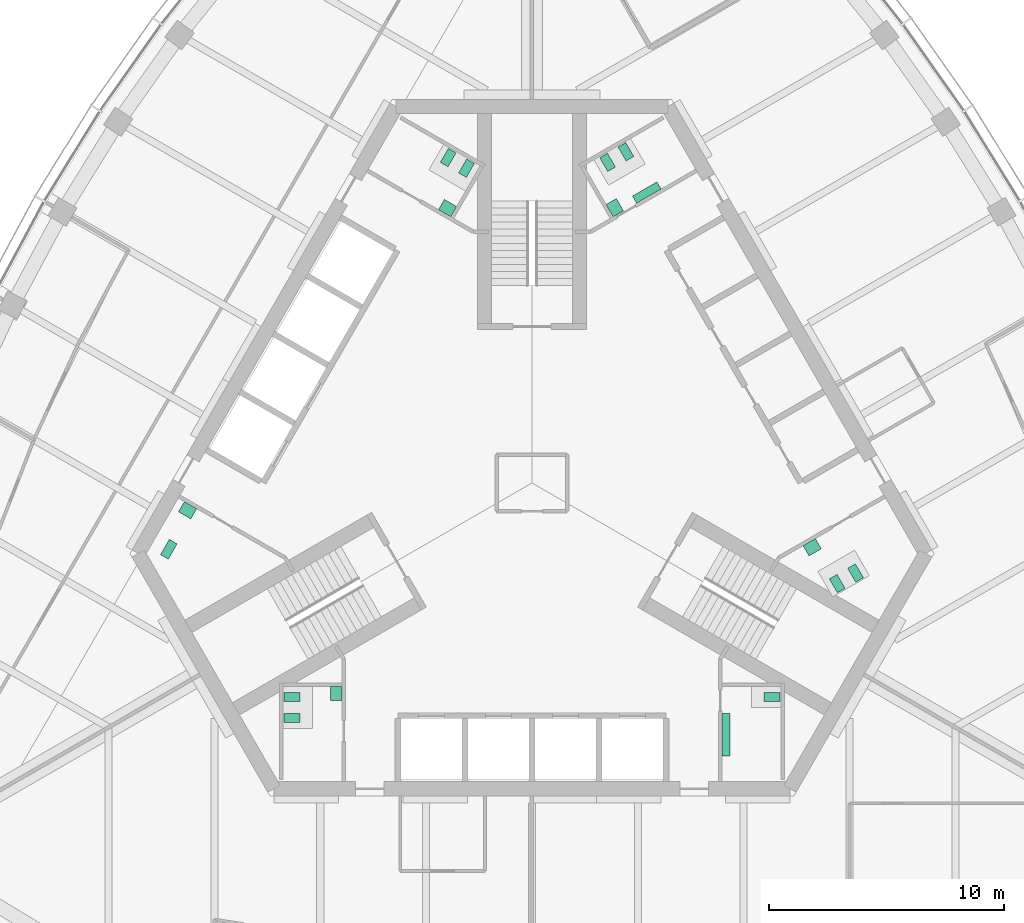
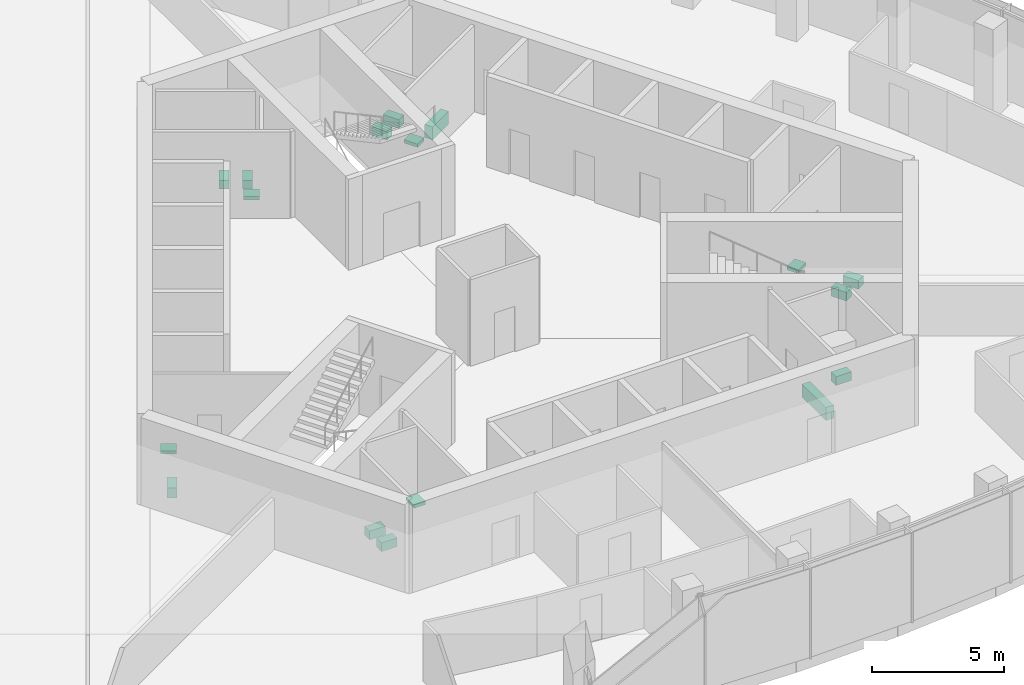
# One storey, part 15 of 16: 17 sanitary terminals.
"""IFC4 building model written with IfcOpenShell, lengths in metres."""

from ifc_helpers import new_model, si_unit, direction, frame, origin, place, context, subcontext, project, spatial, polyline, outline, extrude, material, type_object, element, save


model = new_model("IFC4")

# Units and contexts
model_context = context("Model", 3, precision=1e-05, world=origin(), true_north=direction((0.0, 1.0)))
body_context = subcontext(model_context, "Body", "Model", "MODEL_VIEW")
ifc_project = project(units=[si_unit("LENGTHUNIT", "METRE"), si_unit("AREAUNIT", "SQUARE_METRE"), si_unit("VOLUMEUNIT", "CUBIC_METRE"), si_unit("PLANEANGLEUNIT", "RADIAN"), si_unit("MASSUNIT", "GRAM", prefix="KILO")], contexts=[model_context])

# Site, building, storey
site_placement = place(None, origin())
site = spatial("IfcSite", under=ifc_project, at=site_placement, CompositionType="ELEMENT")
building_placement = place(site_placement, origin())
building = spatial("IfcBuilding", under=site, at=building_placement, Name="Trefoil Bronze Tower", CompositionType="ELEMENT")
storey_placement = place(building_placement, frame((0.0, 0.0, 309.89990234375)))
storey = spatial("IfcBuildingStorey", under=building, at=storey_placement, Name="L71", CompositionType="ELEMENT", Elevation=309.89990234375)

# Sanitary terminals
ifc_material_1 = material(Name="Vitreous china", Category="ceramic")
sanitary_terminal_type_1 = type_object("IfcSanitaryTerminalType", Name="Accessible WC pan", PredefinedType="TOILETPAN", material=ifc_material_1)
sanitary_terminal_1_placement = place(storey_placement, origin())
element("IfcSanitaryTerminal", 1, at=sanitary_terminal_1_placement, inside=storey, type_object=sanitary_terminal_type_1, Name="WC pan 1 Accessible WC L71", PredefinedType="TOILETPAN", context=body_context, shape_type="SweptSolid", body=[
    extrude(outline(polyline([(-15.085693359375, -2.589111328125), (-15.460693359375, -3.238525390625), (-15.789794921875, -3.048583984375), (-15.414794921875, -2.399169921875), (-15.085693359375, -2.589111328125)])), origin(), (0.0, 0.0, 1.0), 0.4501953125),
])
ifc_material_2 = material(Name="Vitreous china", Category="ceramic")
sanitary_terminal_type_2 = type_object("IfcSanitaryTerminalType", Name="Accessible basin", PredefinedType="WASHHANDBASIN", material=ifc_material_2)
sanitary_terminal_2_placement = place(storey_placement, frame((0.0, 0.0, 0.650146484375)))
element("IfcSanitaryTerminal", 2, at=sanitary_terminal_2_placement, inside=storey, type_object=sanitary_terminal_type_2, Name="Wash basin Accessible WC L71", PredefinedType="WASHHANDBASIN", context=body_context, shape_type="SweptSolid", body=[
    extrude(outline(polyline([(-14.256591796875, -1.09326171875), (-14.506591796875, -1.526123046875), (-15.026123046875, -1.22607421875), (-14.776123046875, -0.793212890625), (-14.256591796875, -1.09326171875)])), origin(), (0.0, 0.0, 1.0), 0.14990234375),
])
ifc_material_3 = material(Name="Vitreous china", Category="ceramic")
sanitary_terminal_type_3 = type_object("IfcSanitaryTerminalType", Name="Urinal range 2 urinals", PredefinedType="URINAL", material=ifc_material_3)
sanitary_terminal_3_placement = place(storey_placement, frame((0.0, 0.0, 0.400146484375)))
element("IfcSanitaryTerminal", 3, at=sanitary_terminal_3_placement, inside=storey, type_object=sanitary_terminal_type_3, Name="Urinal range WC (men) L71", PredefinedType="URINAL", context=body_context, shape_type="SweptSolid", body=[
    extrude(outline(polyline([(4.449462890625, 11.89306640625), (4.274658203125, 12.1962890625), (5.313720703125, 12.796142578125), (5.48876953125, 12.4931640625), (4.449462890625, 11.89306640625)])), origin(), (0.0, 0.0, 1.0), 0.599853515625),
])
ifc_material_4 = material(Name="Vitreous china", Category="ceramic")
sanitary_terminal_type_4 = type_object("IfcSanitaryTerminalType", Name="Urinal range 3 urinals", PredefinedType="URINAL", material=ifc_material_4)
sanitary_terminal_4_placement = place(storey_placement, frame((0.0, 0.0, 0.400146484375)))
element("IfcSanitaryTerminal", 4, at=sanitary_terminal_4_placement, inside=storey, type_object=sanitary_terminal_type_4, Name="Urinal range WC (men) L71", PredefinedType="URINAL", context=body_context, shape_type="SweptSolid", body=[
    extrude(outline(polyline([(8.074951171875, -9.800048828125), (8.425048828125, -9.800048828125), (8.425048828125, -11.60009765625), (8.074951171875, -11.60009765625), (8.074951171875, -9.800048828125)])), origin(), (0.0, 0.0, 1.0), 0.599853515625),
])
ifc_material_5 = material(Name="Solid surface vanity", Category="plastic")
sanitary_terminal_type_5 = type_object("IfcSanitaryTerminalType", Name="Vanity unit 1 basins", PredefinedType="WASHHANDBASIN", material=ifc_material_5)
sanitary_terminal_5_placement = place(storey_placement, frame((0.0, 0.0, 0.75)))
element("IfcSanitaryTerminal", 5, at=sanitary_terminal_5_placement, inside=storey, type_object=sanitary_terminal_type_5, Name="Vanity unit WC (women) L71", PredefinedType="WASHHANDBASIN", context=body_context, shape_type="SweptSolid", body=[
    extrude(outline(polyline([(11.528564453125, -2.668212890625), (11.778564453125, -3.10107421875), (12.29833984375, -2.80126953125), (12.04833984375, -2.3681640625), (11.528564453125, -2.668212890625)])), origin(), (0.0, 0.0, 1.0), 0.150146484375),
])
sanitary_terminal_6_placement = place(storey_placement, frame((0.0, 0.0, 0.75)))
element("IfcSanitaryTerminal", 6, at=sanitary_terminal_6_placement, inside=storey, type_object=sanitary_terminal_type_5, Name="Vanity unit WC (men) L71", PredefinedType="WASHHANDBASIN", context=body_context, shape_type="SweptSolid", body=[
    extrude(outline(polyline([(3.45361328125, 11.318115234375), (3.153564453125, 11.837890625), (3.586669921875, 12.087890625), (3.88671875, 11.568115234375), (3.45361328125, 11.318115234375)])), origin(), (0.0, 0.0, 1.0), 0.150146484375),
])
sanitary_terminal_7_placement = place(storey_placement, frame((0.0, 0.0, 0.75)))
element("IfcSanitaryTerminal", 7, at=sanitary_terminal_7_placement, inside=storey, type_object=sanitary_terminal_type_5, Name="Vanity unit WC (women) L71", PredefinedType="WASHHANDBASIN", context=body_context, shape_type="SweptSolid", body=[
    extrude(outline(polyline([(-3.45361328125, 11.318115234375), (-3.20361328125, 11.751220703125), (-3.72314453125, 12.05126953125), (-3.97314453125, 11.6181640625), (-3.45361328125, 11.318115234375)])), origin(), (0.0, 0.0, 1.0), 0.150146484375),
])
sanitary_terminal_8_placement = place(storey_placement, frame((0.0, 0.0, 0.75)))
element("IfcSanitaryTerminal", 8, at=sanitary_terminal_8_placement, inside=storey, type_object=sanitary_terminal_type_5, Name="Vanity unit WC (women) L71", PredefinedType="WASHHANDBASIN", context=body_context, shape_type="SweptSolid", body=[
    extrude(outline(polyline([(-8.074951171875, -8.64990234375), (-8.574951171875, -8.64990234375), (-8.574951171875, -9.25), (-8.074951171875, -9.25), (-8.074951171875, -8.64990234375)])), origin(), (0.0, 0.0, 1.0), 0.150146484375),
])
ifc_material_6 = material(Name="Vitreous china", Category="ceramic")
sanitary_terminal_type_6 = type_object("IfcSanitaryTerminalType", Name="WC pan", PredefinedType="TOILETPAN", material=ifc_material_6)
sanitary_terminal_9_placement = place(storey_placement, origin())
element("IfcSanitaryTerminal", 9, at=sanitary_terminal_9_placement, inside=storey, type_object=sanitary_terminal_type_6, Name="WC pan 1 WC (men) L71", PredefinedType="TOILETPAN", context=body_context, shape_type="SweptSolid", body=[
    extrude(outline(polyline([(9.85498046875, -8.909912109375), (10.534912109375, -8.909912109375), (10.534912109375, -9.2900390625), (9.85498046875, -9.2900390625), (9.85498046875, -8.909912109375)])), origin(), (0.0, 0.0, 1.0), 0.400146484375),
])
sanitary_terminal_10_placement = place(storey_placement, origin())
element("IfcSanitaryTerminal", 10, at=sanitary_terminal_10_placement, inside=storey, type_object=sanitary_terminal_type_6, Name="WC pan 1 WC (women) L71", PredefinedType="TOILETPAN", context=body_context, shape_type="SweptSolid", body=[
    extrude(outline(polyline([(12.643798828125, -4.07958984375), (12.98388671875, -4.66845703125), (13.31298828125, -4.478515625), (12.972900390625, -3.8896484375), (12.643798828125, -4.07958984375)])), origin(), (0.0, 0.0, 1.0), 0.400146484375),
])
sanitary_terminal_11_placement = place(storey_placement, origin())
element("IfcSanitaryTerminal", 11, at=sanitary_terminal_11_placement, inside=storey, type_object=sanitary_terminal_type_6, Name="WC pan 2 WC (women) L71", PredefinedType="TOILETPAN", context=body_context, shape_type="SweptSolid", body=[
    extrude(outline(polyline([(13.423095703125, -3.629638671875), (13.76318359375, -4.218505859375), (14.09228515625, -4.028564453125), (13.752197265625, -3.439697265625), (13.423095703125, -3.629638671875)])), origin(), (0.0, 0.0, 1.0), 0.400146484375),
])
sanitary_terminal_12_placement = place(storey_placement, origin())
element("IfcSanitaryTerminal", 12, at=sanitary_terminal_12_placement, inside=storey, type_object=sanitary_terminal_type_6, Name="WC pan 1 WC (men) L71", PredefinedType="TOILETPAN", context=body_context, shape_type="SweptSolid", body=[
    extrude(outline(polyline([(3.2216796875, 13.23974609375), (2.8818359375, 13.82861328125), (3.2109375, 14.0185546875), (3.55078125, 13.4296875), (3.2216796875, 13.23974609375)])), origin(), (0.0, 0.0, 1.0), 0.400146484375),
])
sanitary_terminal_13_placement = place(storey_placement, origin())
element("IfcSanitaryTerminal", 13, at=sanitary_terminal_13_placement, inside=storey, type_object=sanitary_terminal_type_6, Name="WC pan 2 WC (men) L71", PredefinedType="TOILETPAN", context=body_context, shape_type="SweptSolid", body=[
    extrude(outline(polyline([(4.001220703125, 13.689697265625), (3.6611328125, 14.278564453125), (3.990234375, 14.468505859375), (4.330322265625, 13.879638671875), (4.001220703125, 13.689697265625)])), origin(), (0.0, 0.0, 1.0), 0.400146484375),
])
sanitary_terminal_14_placement = place(storey_placement, origin())
element("IfcSanitaryTerminal", 14, at=sanitary_terminal_14_placement, inside=storey, type_object=sanitary_terminal_type_6, Name="WC pan 1 WC (women) L71", PredefinedType="TOILETPAN", context=body_context, shape_type="SweptSolid", body=[
    extrude(outline(polyline([(-2.788818359375, 12.98974609375), (-2.44873046875, 13.57861328125), (-2.77783203125, 13.7685546875), (-3.117919921875, 13.1796875), (-2.788818359375, 12.98974609375)])), origin(), (0.0, 0.0, 1.0), 0.400146484375),
])
sanitary_terminal_15_placement = place(storey_placement, origin())
element("IfcSanitaryTerminal", 15, at=sanitary_terminal_15_placement, inside=storey, type_object=sanitary_terminal_type_6, Name="WC pan 2 WC (women) L71", PredefinedType="TOILETPAN", context=body_context, shape_type="SweptSolid", body=[
    extrude(outline(polyline([(-3.568115234375, 13.439697265625), (-3.228271484375, 14.028564453125), (-3.557373046875, 14.218505859375), (-3.897216796875, 13.629638671875), (-3.568115234375, 13.439697265625)])), origin(), (0.0, 0.0, 1.0), 0.400146484375),
])
sanitary_terminal_16_placement = place(storey_placement, origin())
element("IfcSanitaryTerminal", 16, at=sanitary_terminal_16_placement, inside=storey, type_object=sanitary_terminal_type_6, Name="WC pan 1 WC (women) L71", PredefinedType="TOILETPAN", context=body_context, shape_type="SweptSolid", body=[
    extrude(outline(polyline([(-9.85498046875, -8.909912109375), (-10.534912109375, -8.909912109375), (-10.534912109375, -9.2900390625), (-9.85498046875, -9.2900390625), (-9.85498046875, -8.909912109375)])), origin(), (0.0, 0.0, 1.0), 0.400146484375),
])
sanitary_terminal_17_placement = place(storey_placement, origin())
element("IfcSanitaryTerminal", 17, at=sanitary_terminal_17_placement, inside=storey, type_object=sanitary_terminal_type_6, Name="WC pan 2 WC (women) L71", PredefinedType="TOILETPAN", context=body_context, shape_type="SweptSolid", body=[
    extrude(outline(polyline([(-9.85498046875, -9.81005859375), (-10.534912109375, -9.81005859375), (-10.534912109375, -10.18994140625), (-9.85498046875, -10.18994140625), (-9.85498046875, -9.81005859375)])), origin(), (0.0, 0.0, 1.0), 0.400146484375),
])

save(model, "model.ifc")
